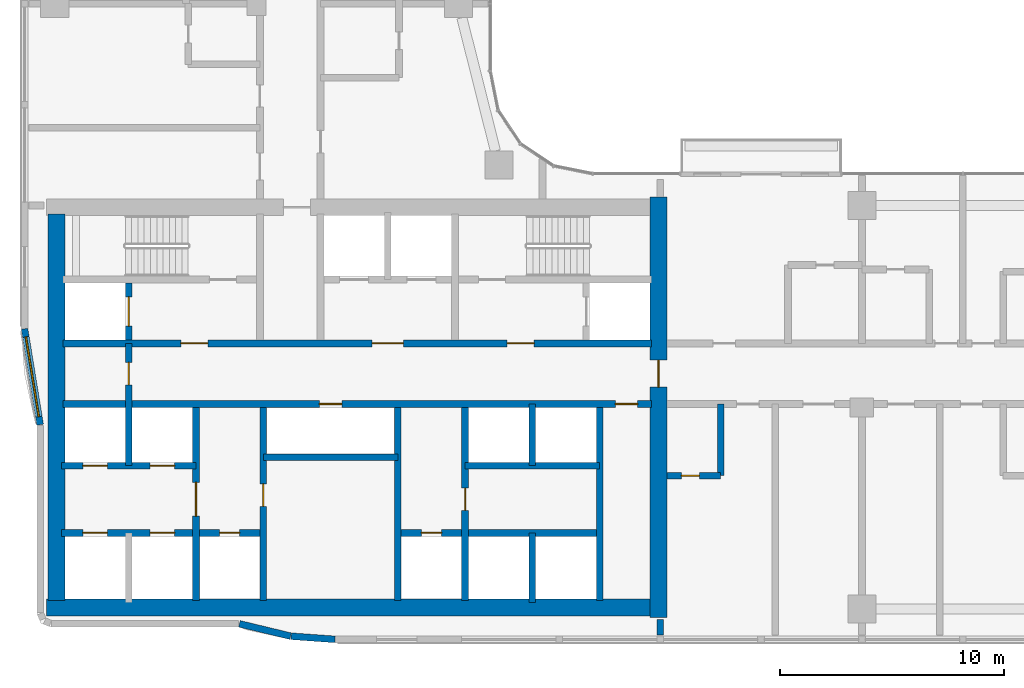
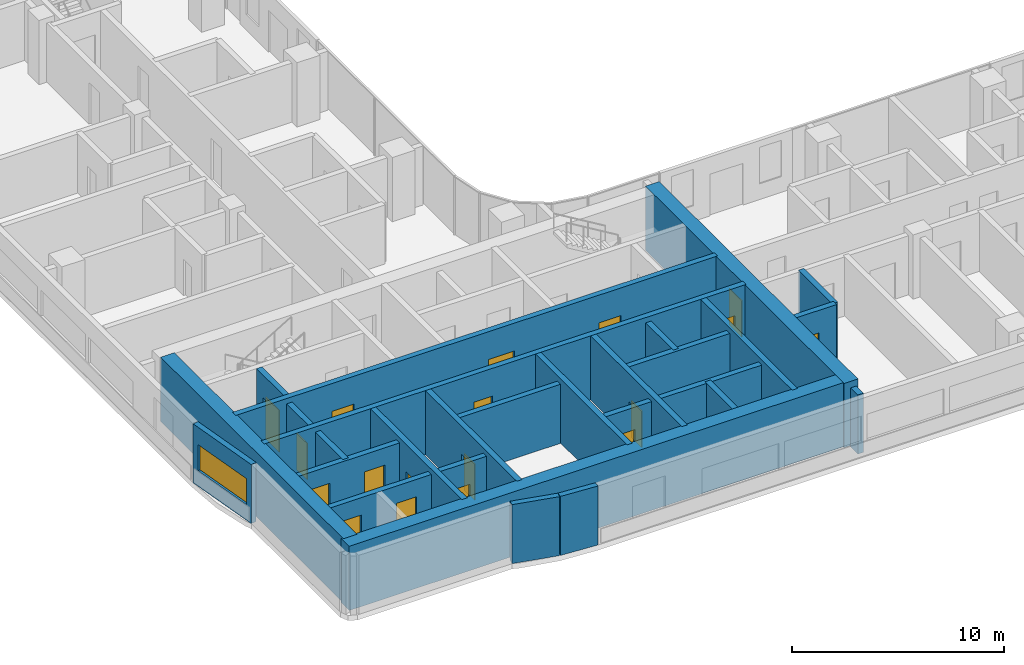
# One storey, part 7 of 21: 25 walls, 18 doors, 1 window, 19 openings.
"""IFC4 building model written with IfcOpenShell, lengths in metres."""

from ifc_helpers import new_model, si_unit, direction, frame, frame_2d, origin, place, context, subcontext, project, spatial, rectangle, extrude, material, layer, layer_set, type_object, element, fill, save


model = new_model("IFC4")

# Units and contexts
model_context = context("Model", 3, precision=1e-05, world=origin(), true_north=direction((0.0, 1.0)))
body_context = subcontext(model_context, "Body", "Model", "MODEL_VIEW")
ifc_project = project(units=[si_unit("LENGTHUNIT", "METRE"), si_unit("AREAUNIT", "SQUARE_METRE"), si_unit("VOLUMEUNIT", "CUBIC_METRE"), si_unit("PLANEANGLEUNIT", "RADIAN"), si_unit("MASSUNIT", "GRAM", prefix="KILO")], contexts=[model_context])

# Site, building, storey
site_placement = place(None, origin())
site = spatial("IfcSite", under=ifc_project, at=site_placement, CompositionType="ELEMENT")
building_placement = place(site_placement, origin())
building = spatial("IfcBuilding", under=site, at=building_placement, Name="Ogive Portal Towers", CompositionType="ELEMENT")
storey_placement = place(building_placement, frame((0.0, 0.0, 109.300048828125)))
storey = spatial("IfcBuildingStorey", under=building, at=storey_placement, Name="L26", CompositionType="ELEMENT", Elevation=109.300048828125)

# Wall, opening, door
ifc_material_1 = material(Name="Concrete C60/75", Category="concrete")
ifc_layer_1 = layer(ifc_material_1, 0.300048828125)
ifc_layer_set_1 = layer_set([ifc_layer_1], Name="CORE WALL 300 C60")
wall_type_1 = type_object("IfcWallType", Name="CORE WALL 300 C60", PredefinedType="SHEAR", material=ifc_layer_set_1)
wall_1_placement = place(storey_placement, frame((37.800048828125, 21.875, 0.0), z_axis=(0.0, 0.0, 1.0), x_axis=(0.0, 1.0, 0.0)))
wall_1 = element("IfcWall", 1, at=wall_1_placement, inside=storey, type_object=wall_type_1, Name="Core wall X1 L26", PredefinedType="SHEAR", context=body_context, shape_type="SweptSolid", body=[
    extrude(rectangle(XDim=8.625, YDim=0.300048828125, at=frame_2d((4.3125, 0.0))), origin(), (0.0, 0.0, 1.0), 3.699951171875),
])
opening_1_placement = place(wall_1_placement, frame((3.77490234375, 0.0, 0.0)))
opening_1 = element("IfcOpeningElement", 2, at=opening_1_placement, cuts=wall_1, Name="Opening D09-001", PredefinedType="OPENING", context=body_context, shape_type="SweptSolid", body=[
    extrude(rectangle(XDim=1.5, YDim=2.10009765625, at=frame_2d((0.75, 1.050048828125))), frame((0.0, 0.16015625, 0.0), z_axis=(0.0, -1.0, 0.0), x_axis=(1.0, 0.0, 0.0)), (0.0, 0.0, 1.0), 0.320068359375),
])
ifc_material_2 = material(Name="Steel fire door", Category="steel")
door_type_1 = type_object("IfcDoorType", Name="DT-SWING-1500x2100-FD90S", OperationType="SINGLE_SWING_LEFT", PredefinedType="DOOR", material=ifc_material_2)
door_1_placement = place(opening_1_placement, origin())
door_1 = element("IfcDoor", 3, at=door_1_placement, inside=storey, type_object=door_type_1, Name="Door D09-001", OperationType="SINGLE_SWING_LEFT", OverallHeight=2.10009765625, OverallWidth=1.5, PredefinedType="DOOR", context=body_context, shape_type="SweptSolid", body=[
    extrude(rectangle(XDim=1.5, YDim=2.10009765625, at=frame_2d((0.75, 1.050048828125))), frame((0.0, 0.02490234375, 0.0), z_axis=(0.0, -1.0, 0.0), x_axis=(1.0, 0.0, 0.0)), (0.0, 0.0, 1.0), 0.050048828125),
])
fill(opening_1, door_1)

wall_2_placement = place(storey_placement, frame((40.800048828125, 21.875, 0.0), z_axis=(0.0, 0.0, 1.0), x_axis=(0.0, 1.0, 0.0)))
wall_2 = element("IfcWall", 4, at=wall_2_placement, inside=storey, type_object=wall_type_1, Name="Core wall X2 L26", PredefinedType="SHEAR", context=body_context, shape_type="SweptSolid", body=[
    extrude(rectangle(XDim=8.625, YDim=0.300048828125, at=frame_2d((4.3125, 0.0))), origin(), (0.0, 0.0, 1.0), 3.699951171875),
])
opening_2_placement = place(wall_2_placement, frame((4.212890625, 0.0, 0.0)))
opening_2 = element("IfcOpeningElement", 5, at=opening_2_placement, cuts=wall_2, Name="Opening D09-021", PredefinedType="OPENING", context=body_context, shape_type="SweptSolid", body=[
    extrude(rectangle(XDim=1.0, YDim=2.10009765625, at=frame_2d((0.5, 1.050048828125))), frame((0.0, 0.16015625, 0.0), z_axis=(0.0, -1.0, 0.0), x_axis=(1.0, 0.0, 0.0)), (0.0, 0.0, 1.0), 0.320068359375),
])
door_type_2 = type_object("IfcDoorType", Name="DT-SWING-1000x2100-FD90S", OperationType="SINGLE_SWING_LEFT", PredefinedType="DOOR", material=ifc_material_2)
door_2_placement = place(opening_2_placement, origin())
door_2 = element("IfcDoor", 6, at=door_2_placement, inside=storey, type_object=door_type_2, Name="Door D09-021", OperationType="SINGLE_SWING_RIGHT", OverallHeight=2.10009765625, OverallWidth=1.0, PredefinedType="DOOR", context=body_context, shape_type="SweptSolid", body=[
    extrude(rectangle(XDim=1.0, YDim=2.10009765625, at=frame_2d((0.5, 1.050048828125))), frame((0.0, 0.02490234375, 0.0), z_axis=(0.0, -1.0, 0.0), x_axis=(1.0, 0.0, 0.0)), (0.0, 0.0, 1.0), 0.050048828125),
])
fill(opening_2, door_2)

# Wall
wall_3_placement = place(storey_placement, frame((46.800048828125, 21.875, 0.0), z_axis=(0.0, 0.0, 1.0), x_axis=(0.0, 1.0, 0.0)))
element("IfcWall", 7, at=wall_3_placement, inside=storey, type_object=wall_type_1, Name="Core wall X3 L26", PredefinedType="SHEAR", context=body_context, shape_type="SweptSolid", body=[
    extrude(rectangle(XDim=8.625, YDim=0.300048828125, at=frame_2d((4.3125, 0.0))), origin(), (0.0, 0.0, 1.0), 3.699951171875),
])

# Wall, opening, door
wall_4_placement = place(storey_placement, frame((49.800048828125, 21.875, 0.0), z_axis=(0.0, 0.0, 1.0), x_axis=(0.0, 1.0, 0.0)))
wall_4 = element("IfcWall", 8, at=wall_4_placement, inside=storey, type_object=wall_type_1, Name="Core wall X4 L26", PredefinedType="SHEAR", context=body_context, shape_type="SweptSolid", body=[
    extrude(rectangle(XDim=8.625, YDim=0.300048828125, at=frame_2d((4.3125, 0.0))), origin(), (0.0, 0.0, 1.0), 3.699951171875),
])
opening_3_placement = place(wall_4_placement, frame((4.02490234375, 0.0, 0.0)))
opening_3 = element("IfcOpeningElement", 9, at=opening_3_placement, cuts=wall_4, Name="Opening D09-022", PredefinedType="OPENING", context=body_context, shape_type="SweptSolid", body=[
    extrude(rectangle(XDim=1.0, YDim=2.10009765625, at=frame_2d((0.5, 1.050048828125))), frame((0.0, 0.16015625, 0.0), z_axis=(0.0, -1.0, 0.0), x_axis=(1.0, 0.0, 0.0)), (0.0, 0.0, 1.0), 0.320068359375),
])
door_3_placement = place(opening_3_placement, origin())
door_3 = element("IfcDoor", 10, at=door_3_placement, inside=storey, type_object=door_type_2, Name="Door D09-022", OperationType="SINGLE_SWING_LEFT", OverallHeight=2.10009765625, OverallWidth=1.0, PredefinedType="DOOR", context=body_context, shape_type="SweptSolid", body=[
    extrude(rectangle(XDim=1.0, YDim=2.10009765625, at=frame_2d((0.5, 1.050048828125))), frame((0.0, 0.02490234375, 0.0), z_axis=(0.0, -1.0, 0.0), x_axis=(1.0, 0.0, 0.0)), (0.0, 0.0, 1.0), 0.050048828125),
])
fill(opening_3, door_3)

# Wall
wall_5_placement = place(storey_placement, frame((55.800048828125, 21.875, 0.0), z_axis=(0.0, 0.0, 1.0), x_axis=(0.0, 1.0, 0.0)))
element("IfcWall", 11, at=wall_5_placement, inside=storey, type_object=wall_type_1, Name="Core wall X5 L26", PredefinedType="SHEAR", context=body_context, shape_type="SweptSolid", body=[
    extrude(rectangle(XDim=8.625, YDim=0.300048828125, at=frame_2d((4.3125, 0.0))), origin(), (0.0, 0.0, 1.0), 3.699951171875),
])

# Wall, openings, doors
wall_6_placement = place(storey_placement, frame((31.875, 30.64990234375, 0.0), z_axis=(0.0, 0.0, 1.0), x_axis=(1.0, 0.0, 0.0)))
wall_6 = element("IfcWall", 12, at=wall_6_placement, inside=storey, type_object=wall_type_1, Name="Core wall Y1 L26", PredefinedType="SHEAR", context=body_context, shape_type="SweptSolid", body=[
    extrude(rectangle(XDim=26.25, YDim=0.300048828125, at=frame_2d((13.125, 0.0))), origin(), (0.0, 0.0, 1.0), 3.699951171875),
])
opening_4_placement = place(wall_6_placement, frame((24.625, 0.0, 0.0)))
opening_4 = element("IfcOpeningElement", 13, at=opening_4_placement, cuts=wall_6, Name="Opening D09-009", PredefinedType="OPENING", context=body_context, shape_type="SweptSolid", body=[
    extrude(rectangle(XDim=1.0, YDim=2.10009765625, at=frame_2d((0.5, 1.050048828125))), frame((0.0, 0.16015625, 0.0), z_axis=(0.0, -1.0, 0.0), x_axis=(1.0, 0.0, 0.0)), (0.0, 0.0, 1.0), 0.320068359375),
])
opening_5_placement = place(wall_6_placement, frame((11.425048828125, 0.0, 0.0)))
opening_5 = element("IfcOpeningElement", 14, at=opening_5_placement, cuts=wall_6, Name="Opening D09-020", PredefinedType="OPENING", context=body_context, shape_type="SweptSolid", body=[
    extrude(rectangle(XDim=1.0, YDim=2.10009765625, at=frame_2d((0.5, 1.050048828125))), frame((0.0, 0.16015625, 0.0), z_axis=(0.0, -1.0, 0.0), x_axis=(1.0, 0.0, 0.0)), (0.0, 0.0, 1.0), 0.320068359375),
])
door_4_placement = place(opening_4_placement, origin())
door_4 = element("IfcDoor", 15, at=door_4_placement, inside=storey, type_object=door_type_2, Name="Door D09-009", OperationType="SINGLE_SWING_LEFT", OverallHeight=2.10009765625, OverallWidth=1.0, PredefinedType="DOOR", context=body_context, shape_type="SweptSolid", body=[
    extrude(rectangle(XDim=1.0, YDim=2.10009765625, at=frame_2d((0.5, 1.050048828125))), frame((0.0, 0.02490234375, 0.0), z_axis=(0.0, -1.0, 0.0), x_axis=(1.0, 0.0, 0.0)), (0.0, 0.0, 1.0), 0.050048828125),
])
fill(opening_4, door_4)
door_5_placement = place(opening_5_placement, origin())
door_5 = element("IfcDoor", 16, at=door_5_placement, inside=storey, type_object=door_type_2, Name="Riser access door D09-020", OperationType="SINGLE_SWING_LEFT", OverallHeight=2.10009765625, OverallWidth=1.0, PredefinedType="DOOR", context=body_context, shape_type="SweptSolid", body=[
    extrude(rectangle(XDim=1.0, YDim=2.10009765625, at=frame_2d((0.5, 1.050048828125))), frame((0.0, 0.02490234375, 0.0), z_axis=(0.0, -1.0, 0.0), x_axis=(1.0, 0.0, 0.0)), (0.0, 0.0, 1.0), 0.050048828125),
])
fill(opening_5, door_5)

wall_7_placement = place(storey_placement, frame((31.875, 33.35009765625, 0.0), z_axis=(0.0, 0.0, 1.0), x_axis=(1.0, 0.0, 0.0)))
wall_7 = element("IfcWall", 17, at=wall_7_placement, inside=storey, type_object=wall_type_1, Name="Core wall Y2 L26", PredefinedType="SHEAR", context=body_context, shape_type="SweptSolid", body=[
    extrude(rectangle(XDim=26.25, YDim=0.300048828125, at=frame_2d((13.125, 0.0))), origin(), (0.0, 0.0, 1.0), 3.699951171875),
])
opening_6_placement = place(wall_7_placement, frame((13.77490234375, 0.0, 0.0)))
opening_6 = element("IfcOpeningElement", 18, at=opening_6_placement, cuts=wall_7, Name="Opening D09-002", PredefinedType="OPENING", context=body_context, shape_type="SweptSolid", body=[
    extrude(rectangle(XDim=1.39990234375, YDim=2.10009765625, at=frame_2d((0.699951171875, 1.050048828125))), frame((0.0, 0.16015625, 0.0), z_axis=(0.0, -1.0, 0.0), x_axis=(1.0, 0.0, 0.0)), (0.0, 0.0, 1.0), 0.320068359375),
])
opening_7_placement = place(wall_7_placement, frame((5.25, 0.0, 0.0)))
opening_7 = element("IfcOpeningElement", 19, at=opening_7_placement, cuts=wall_7, Name="Opening D09-003", PredefinedType="OPENING", context=body_context, shape_type="SweptSolid", body=[
    extrude(rectangle(XDim=1.199951171875, YDim=2.10009765625, at=frame_2d((0.60009765625, 1.050048828125))), frame((0.0, 0.16015625, 0.0), z_axis=(0.0, -1.0, 0.0), x_axis=(1.0, 0.0, 0.0)), (0.0, 0.0, 1.0), 0.320068359375),
])
opening_8_placement = place(wall_7_placement, frame((19.800048828125, 0.0, 0.0)))
opening_8 = element("IfcOpeningElement", 20, at=opening_8_placement, cuts=wall_7, Name="Opening D09-004", PredefinedType="OPENING", context=body_context, shape_type="SweptSolid", body=[
    extrude(rectangle(XDim=1.199951171875, YDim=2.10009765625, at=frame_2d((0.60009765625, 1.050048828125))), frame((0.0, 0.16015625, 0.0), z_axis=(0.0, -1.0, 0.0), x_axis=(1.0, 0.0, 0.0)), (0.0, 0.0, 1.0), 0.320068359375),
])
door_type_3 = type_object("IfcDoorType", Name="DT-SWING-1200x2100-FD90S", OperationType="SINGLE_SWING_LEFT", PredefinedType="DOOR", material=ifc_material_2)
door_6_placement = place(opening_7_placement, origin())
door_6 = element("IfcDoor", 21, at=door_6_placement, inside=storey, type_object=door_type_3, Name="Door D09-003", OperationType="SINGLE_SWING_LEFT", OverallHeight=2.10009765625, OverallWidth=1.199951171875, PredefinedType="DOOR", context=body_context, shape_type="SweptSolid", body=[
    extrude(rectangle(XDim=1.199951171875, YDim=2.10009765625, at=frame_2d((0.60009765625, 1.050048828125))), frame((0.0, 0.02490234375, 0.0), z_axis=(0.0, -1.0, 0.0), x_axis=(1.0, 0.0, 0.0)), (0.0, 0.0, 1.0), 0.050048828125),
])
fill(opening_7, door_6)
door_7_placement = place(opening_8_placement, origin())
door_7 = element("IfcDoor", 22, at=door_7_placement, inside=storey, type_object=door_type_3, Name="Door D09-004", OperationType="SINGLE_SWING_RIGHT", OverallHeight=2.10009765625, OverallWidth=1.199951171875, PredefinedType="DOOR", context=body_context, shape_type="SweptSolid", body=[
    extrude(rectangle(XDim=1.199951171875, YDim=2.10009765625, at=frame_2d((0.60009765625, 1.050048828125))), frame((0.0, 0.02490234375, 0.0), z_axis=(0.0, -1.0, 0.0), x_axis=(1.0, 0.0, 0.0)), (0.0, 0.0, 1.0), 0.050048828125),
])
fill(opening_8, door_7)
door_type_4 = type_object("IfcDoorType", Name="DT-SWING-1400x2100-FD90S", OperationType="SINGLE_SWING_LEFT", PredefinedType="DOOR", material=ifc_material_2)
door_8_placement = place(opening_6_placement, origin())
door_8 = element("IfcDoor", 23, at=door_8_placement, inside=storey, type_object=door_type_4, Name="Door D09-002", OperationType="SINGLE_SWING_RIGHT", OverallHeight=2.10009765625, OverallWidth=1.39990234375, PredefinedType="DOOR", context=body_context, shape_type="SweptSolid", body=[
    extrude(rectangle(XDim=1.39990234375, YDim=2.10009765625, at=frame_2d((0.699951171875, 1.050048828125))), frame((0.0, 0.02490234375, 0.0), z_axis=(0.0, -1.0, 0.0), x_axis=(1.0, 0.0, 0.0)), (0.0, 0.0, 1.0), 0.050048828125),
])
fill(opening_6, door_8)

# Wall, opening, door
wall_8_placement = place(storey_placement, frame((34.800048828125, 33.5, 0.0), z_axis=(0.0, 0.0, 1.0), x_axis=(0.0, 1.0, 0.0)))
wall_8 = element("IfcWall", 24, at=wall_8_placement, inside=storey, type_object=wall_type_1, Name="Core wall X8 L26", PredefinedType="SHEAR", context=body_context, shape_type="SweptSolid", body=[
    extrude(rectangle(XDim=2.550048828125, YDim=0.300048828125, at=frame_2d((1.27490234375, 0.0))), origin(), (0.0, 0.0, 1.0), 3.699951171875),
])
opening_9_placement = place(wall_8_placement, frame((0.625, 0.0, 0.0)))
opening_9 = element("IfcOpeningElement", 25, at=opening_9_placement, cuts=wall_8, Name="Opening D09-018", PredefinedType="OPENING", context=body_context, shape_type="SweptSolid", body=[
    extrude(rectangle(XDim=1.300048828125, YDim=2.39990234375, at=frame_2d((0.64990234375, 1.199951171875))), frame((0.0, 0.16015625, 0.0), z_axis=(0.0, -1.0, 0.0), x_axis=(1.0, 0.0, 0.0)), (0.0, 0.0, 1.0), 0.320068359375),
])
ifc_material_3 = material(Name="Stainless steel", Category="steel")
door_type_5 = type_object("IfcDoorType", Name="DT-LD-1300x2400", OperationType="SLIDING_TO_LEFT", PredefinedType="DOOR", material=ifc_material_3)
door_9_placement = place(opening_9_placement, origin())
door_9 = element("IfcDoor", 26, at=door_9_placement, inside=storey, type_object=door_type_5, Name="Door D09-018", OperationType="SLIDING_TO_LEFT", OverallHeight=2.39990234375, OverallWidth=1.300048828125, PredefinedType="DOOR", context=body_context, shape_type="SweptSolid", body=[
    extrude(rectangle(XDim=1.300048828125, YDim=2.39990234375, at=frame_2d((0.64990234375, 1.199951171875))), frame((0.0, 0.02490234375, 0.0), z_axis=(0.0, -1.0, 0.0), x_axis=(1.0, 0.0, 0.0)), (0.0, 0.0, 1.0), 0.050048828125),
])
fill(opening_9, door_9)

# Walls
ifc_layer_2 = layer(ifc_material_1, 0.75)
ifc_layer_set_2 = layer_set([ifc_layer_2], Name="CORE WALL 750 C60")
wall_type_2 = type_object("IfcWallType", Name="CORE WALL 750 C60", PredefinedType="SHEAR", material=ifc_layer_set_2)
wall_9_placement = place(storey_placement, frame((31.574951171875, 21.875, 0.0), z_axis=(0.0, 0.0, 1.0), x_axis=(0.0, 1.0, 0.0)))
element("IfcWall", 27, at=wall_9_placement, inside=storey, type_object=wall_type_2, Name="Core wall W L26", PredefinedType="SHEAR", context=body_context, shape_type="SweptSolid", body=[
    extrude(rectangle(XDim=17.25, YDim=0.75, at=frame_2d((8.625, 0.0))), origin(), (0.0, 0.0, 1.0), 3.699951171875),
])
wall_10_placement = place(storey_placement, frame((31.125, 21.574951171875, 0.0), z_axis=(0.0, 0.0, 1.0), x_axis=(1.0, 0.0, 0.0)))
element("IfcWall", 28, at=wall_10_placement, inside=storey, type_object=wall_type_2, Name="Core wall S L26", PredefinedType="SHEAR", context=body_context, shape_type="SweptSolid", body=[
    extrude(rectangle(XDim=27.0, YDim=0.75, at=frame_2d((13.5, 0.0))), origin(), (0.0, 0.0, 1.0), 3.699951171875),
])

# Wall, opening, door
wall_11_placement = place(storey_placement, frame((58.425048828125, 21.125, 0.0), z_axis=(0.0, 0.0, 1.0), x_axis=(0.0, 1.0, 0.0)))
wall_11 = element("IfcWall", 29, at=wall_11_placement, inside=storey, type_object=wall_type_2, Name="Core wall E L26", PredefinedType="SHEAR", context=body_context, shape_type="SweptSolid", body=[
    extrude(rectangle(XDim=18.75, YDim=0.75, at=frame_2d((9.375, 0.0))), origin(), (0.0, 0.0, 1.0), 3.699951171875),
])
opening_10_placement = place(wall_11_placement, frame((10.27490234375, 0.0, 0.0)))
opening_10 = element("IfcOpeningElement", 30, at=opening_10_placement, cuts=wall_11, Name="Opening D09-010", PredefinedType="OPENING", context=body_context, shape_type="SweptSolid", body=[
    extrude(rectangle(XDim=1.199951171875, YDim=2.10009765625, at=frame_2d((0.60009765625, 1.050048828125))), frame((0.0, 0.385009765625, 0.0), z_axis=(0.0, -1.0, 0.0), x_axis=(1.0, 0.0, 0.0)), (0.0, 0.0, 1.0), 0.77001953125),
])
door_10_placement = place(opening_10_placement, origin())
door_10 = element("IfcDoor", 31, at=door_10_placement, inside=storey, type_object=door_type_3, Name="Door D09-010", OperationType="SINGLE_SWING_LEFT", OverallHeight=2.10009765625, OverallWidth=1.199951171875, PredefinedType="DOOR", context=body_context, shape_type="SweptSolid", body=[
    extrude(rectangle(XDim=1.199951171875, YDim=2.10009765625, at=frame_2d((0.60009765625, 1.050048828125))), frame((0.0, 0.02490234375, 0.0), z_axis=(0.0, -1.0, 0.0), x_axis=(1.0, 0.0, 0.0)), (0.0, 0.0, 1.0), 0.050048828125),
])
fill(opening_10, door_10)

# Walls
ifc_material_4 = material(Name="Limestone cladding on lightweight block wall", Category="masonry")
ifc_layer_3 = layer(ifc_material_4, 0.300048828125)
ifc_layer_set_3 = layer_set([ifc_layer_3], Name="EXTERNAL WALL 300 STONE")
wall_type_3 = type_object("IfcWallType", Name="EXTERNAL WALL 300 STONE", PredefinedType="SOLIDWALL", material=ifc_layer_set_3)
wall_12_placement = place(storey_placement, frame((39.734619140625, 20.845703125, 0.0), z_axis=(0.0, 0.0, 1.0), x_axis=(0.97206095595, -0.234728562212, 0.0)))
element("IfcWall", 32, at=wall_12_placement, inside=storey, type_object=wall_type_3, Name="A:L26:f04:r0:wall", PredefinedType="SOLIDWALL", context=body_context, shape_type="SweptSolid", body=[
    extrude(rectangle(XDim=2.349609375, YDim=0.300048828125, at=frame_2d((1.1748046875, 0.0))), origin(), (0.0, 0.0, 1.0), 3.39990234375),
])
wall_13_placement = place(storey_placement, frame((42.043212890625, 20.290283203125, 0.0), z_axis=(0.0, 0.0, 1.0), x_axis=(0.997454275884, -0.071308958214, 0.0)))
element("IfcWall", 33, at=wall_13_placement, inside=storey, type_object=wall_type_3, Name="A:L26:f05:r0:wall", PredefinedType="SOLIDWALL", context=body_context, shape_type="SweptSolid", body=[
    extrude(rectangle(XDim=1.961669921875, YDim=0.300048828125, at=frame_2d((0.98095703125, 0.0))), origin(), (0.0, 0.0, 1.0), 3.39990234375),
])

# Wall, opening, window
wall_14_placement = place(storey_placement, frame((30.15185546875, 34.000244140625, 0.0), z_axis=(0.0, 0.0, 1.0), x_axis=(0.160697303067, -0.987003736967, 0.0)))
wall_14 = element("IfcWall", 34, at=wall_14_placement, inside=storey, type_object=wall_type_3, Name="A:L26:f25:r0:wall", PredefinedType="SOLIDWALL", context=body_context, shape_type="SweptSolid", body=[
    extrude(rectangle(XDim=4.3330078125, YDim=0.300048828125, at=frame_2d((2.16650390625, 0.0))), origin(), (0.0, 0.0, 1.0), 3.39990234375),
])
opening_11_placement = place(wall_14_placement, frame((0.366455078125, 0.0, 0.89990234375)))
opening_11 = element("IfcOpeningElement", 35, at=opening_11_placement, cuts=wall_14, Name="Opening WN12", PredefinedType="OPENING", context=body_context, shape_type="SweptSolid", body=[
    extrude(rectangle(XDim=3.60009765625, YDim=1.5, at=frame_2d((1.800048828125, 0.75))), frame((0.0, 0.16015625, 0.0), z_axis=(0.0, -1.0, 0.0), x_axis=(1.0, 0.0, 0.0)), (0.0, 0.0, 1.0), 0.320068359375),
])
ifc_material_5 = material(Name="Glass, clear low-iron insulated glazing", Category="glass")
window_type = type_object("IfcWindowType", Name="WINDOW RIBBON 3600x1500", PartitioningType="TRIPLE_PANEL_VERTICAL", PredefinedType="WINDOW", material=ifc_material_5)
window_placement = place(opening_11_placement, origin())
window = element("IfcWindow", 36, at=window_placement, inside=storey, type_object=window_type, Name="A:L26:f25:r0:w0", OverallHeight=1.5, OverallWidth=3.60009765625, PartitioningType="SINGLE_PANEL", PredefinedType="WINDOW", context=body_context, shape_type="SweptSolid", body=[
    extrude(rectangle(XDim=3.60009765625, YDim=1.5, at=frame_2d((1.800048828125, 0.75))), frame((0.0, 0.030029296875, 0.0), z_axis=(0.0, -1.0, 0.0), x_axis=(1.0, 0.0, 0.0)), (0.0, 0.0, 1.0), 0.06005859375),
])
fill(opening_11, window)

# Wall
ifc_material_6 = material(Name="Gypsum board partition on steel studs", Category="steel")
ifc_layer_4 = layer(ifc_material_6, 0.300048828125)
ifc_layer_set_4 = layer_set([ifc_layer_4], Name="WT-PART-300")
wall_type_4 = type_object("IfcWallType", Name="WT-PART-300", PredefinedType="PARTITIONING", material=ifc_layer_set_4)
wall_15_placement = place(storey_placement, frame((40.800048828125, 28.277099609375, 0.0), z_axis=(0.0, 0.0, 1.0), x_axis=(1.0, 0.0, 0.0)))
element("IfcWall", 37, at=wall_15_placement, inside=storey, type_object=wall_type_4, Name="Wall pw:005:L26", PredefinedType="PARTITIONING", context=body_context, shape_type="SweptSolid", body=[
    extrude(rectangle(XDim=6.0, YDim=0.300048828125, at=frame_2d((3.0, 0.0))), origin(), (0.0, 0.0, 1.0), 3.39990234375),
])

# Wall, opening, door
ifc_layer_5 = layer(ifc_material_6, 0.300048828125)
ifc_layer_set_5 = layer_set([ifc_layer_5], Name="WT-PART-300-EI 60")
wall_type_5 = type_object("IfcWallType", Name="WT-PART-300-EI 60", PredefinedType="PARTITIONING", material=ifc_layer_set_5)
wall_16_placement = place(storey_placement, frame((58.800048828125, 27.449951171875, 0.0), z_axis=(0.0, 0.0, 1.0), x_axis=(1.0, 0.0, 0.0)))
wall_16 = element("IfcWall", 38, at=wall_16_placement, inside=storey, type_object=wall_type_5, Name="Wall L26:w004", PredefinedType="PARTITIONING", context=body_context, shape_type="SweptSolid", body=[
    extrude(rectangle(XDim=2.39990234375, YDim=0.300048828125, at=frame_2d((1.199951171875, 0.0))), origin(), (0.0, 0.0, 1.0), 3.39990234375),
])
opening_12_placement = place(wall_16_placement, frame((0.64990234375, 0.0, 0.0)))
opening_12 = element("IfcOpeningElement", 39, at=opening_12_placement, cuts=wall_16, Name="Opening D09-026", PredefinedType="OPENING", context=body_context, shape_type="SweptSolid", body=[
    extrude(rectangle(XDim=0.800048828125, YDim=2.10009765625, at=frame_2d((0.39990234375, 1.050048828125))), frame((0.0, 0.16015625, 0.0), z_axis=(0.0, -1.0, 0.0), x_axis=(1.0, 0.0, 0.0)), (0.0, 0.0, 1.0), 0.320068359375),
])
door_type_6 = type_object("IfcDoorType", Name="DT-BATH-800x2100-FD60S", OperationType="SINGLE_SWING_LEFT", PredefinedType="DOOR", material=ifc_material_2)
door_11_placement = place(opening_12_placement, origin())
door_11 = element("IfcDoor", 40, at=door_11_placement, inside=storey, type_object=door_type_6, Name="Door D09-026", OperationType="SINGLE_SWING_LEFT", OverallHeight=2.10009765625, OverallWidth=0.800048828125, PredefinedType="DOOR", context=body_context, shape_type="SweptSolid", body=[
    extrude(rectangle(XDim=0.800048828125, YDim=2.10009765625, at=frame_2d((0.39990234375, 1.050048828125))), frame((0.0, 0.02490234375, 0.0), z_axis=(0.0, -1.0, 0.0), x_axis=(1.0, 0.0, 0.0)), (0.0, 0.0, 1.0), 0.050048828125),
])
fill(opening_12, door_11)

# Walls
wall_17_placement = place(storey_placement, frame((58.5, 20.35009765625, 0.0), z_axis=(0.0, 0.0, 1.0), x_axis=(0.0, 1.0, 0.0)))
element("IfcWall", 41, at=wall_17_placement, inside=storey, type_object=wall_type_5, Name="Wall L26:w044", PredefinedType="PARTITIONING", context=body_context, shape_type="SweptSolid", body=[
    extrude(rectangle(XDim=0.679931640625, YDim=0.300048828125, at=frame_2d((0.33984375, 0.0))), origin(), (0.0, 0.0, 1.0), 3.39990234375),
])
wall_18_placement = place(storey_placement, frame((61.199951171875, 27.449951171875, 0.0), z_axis=(0.0, 0.0, 1.0), x_axis=(0.0, 1.0, 0.0)))
element("IfcWall", 42, at=wall_18_placement, inside=storey, type_object=wall_type_5, Name="Wall L26:w046", PredefinedType="PARTITIONING", context=body_context, shape_type="SweptSolid", body=[
    extrude(rectangle(XDim=3.199951171875, YDim=0.300048828125, at=frame_2d((1.60009765625, 0.0))), origin(), (0.0, 0.0, 1.0), 3.39990234375),
])

# Wall, openings, doors
ifc_material_7 = material(Name="Concrete C40/50", Category="concrete")
ifc_layer_6 = layer(ifc_material_7, 0.300048828125)
ifc_layer_set_6 = layer_set([ifc_layer_6], Name="WT-SHAFT-300")
wall_type_6 = type_object("IfcWallType", Name="WT-SHAFT-300", PredefinedType="SOLIDWALL", material=ifc_layer_set_6)
wall_19_placement = place(storey_placement, frame((31.800048828125, 24.89990234375, 0.0), z_axis=(0.0, 0.0, 1.0), x_axis=(1.0, 0.0, 0.0)))
wall_19 = element("IfcWall", 43, at=wall_19_placement, inside=storey, type_object=wall_type_6, Name="Wall pw:001:L26", PredefinedType="SOLIDWALL", context=body_context, shape_type="SweptSolid", body=[
    extrude(rectangle(XDim=9.0, YDim=0.300048828125, at=frame_2d((4.5, 0.0))), origin(), (0.0, 0.0, 1.0), 3.39990234375),
])
opening_13_placement = place(wall_19_placement, frame((7.050048828125, 0.0, 0.0)))
opening_13 = element("IfcOpeningElement", 44, at=opening_13_placement, cuts=wall_19, Name="Opening D09-007", PredefinedType="OPENING", context=body_context, shape_type="SweptSolid", body=[
    extrude(rectangle(XDim=0.89990234375, YDim=2.10009765625, at=frame_2d((0.449951171875, 1.050048828125))), frame((0.0, 0.16015625, 0.0), z_axis=(0.0, -1.0, 0.0), x_axis=(1.0, 0.0, 0.0)), (0.0, 0.0, 1.0), 0.320068359375),
])
opening_14_placement = place(wall_19_placement, frame((0.949951171875, 0.0, 0.0)))
opening_14 = element("IfcOpeningElement", 45, at=opening_14_placement, cuts=wall_19, Name="Opening D09-012", PredefinedType="OPENING", context=body_context, shape_type="SweptSolid", body=[
    extrude(rectangle(XDim=1.10009765625, YDim=2.39990234375, at=frame_2d((0.550048828125, 1.199951171875))), frame((0.0, 0.16015625, 0.0), z_axis=(0.0, -1.0, 0.0), x_axis=(1.0, 0.0, 0.0)), (0.0, 0.0, 1.0), 0.320068359375),
])
opening_15_placement = place(wall_19_placement, frame((3.949951171875, 0.0, 0.0)))
opening_15 = element("IfcOpeningElement", 46, at=opening_15_placement, cuts=wall_19, Name="Opening D09-013", PredefinedType="OPENING", context=body_context, shape_type="SweptSolid", body=[
    extrude(rectangle(XDim=1.10009765625, YDim=2.39990234375, at=frame_2d((0.550048828125, 1.199951171875))), frame((0.0, 0.16015625, 0.0), z_axis=(0.0, -1.0, 0.0), x_axis=(1.0, 0.0, 0.0)), (0.0, 0.0, 1.0), 0.320068359375),
])
door_type_7 = type_object("IfcDoorType", Name="DT-LD-1100x2400", OperationType="SLIDING_TO_LEFT", PredefinedType="DOOR", material=ifc_material_3)
door_12_placement = place(opening_14_placement, origin())
door_12 = element("IfcDoor", 47, at=door_12_placement, inside=storey, type_object=door_type_7, Name="Door D09-012", OperationType="SLIDING_TO_LEFT", OverallHeight=2.39990234375, OverallWidth=1.10009765625, PredefinedType="DOOR", context=body_context, shape_type="SweptSolid", body=[
    extrude(rectangle(XDim=1.10009765625, YDim=2.39990234375, at=frame_2d((0.550048828125, 1.199951171875))), frame((0.0, 0.02490234375, 0.0), z_axis=(0.0, -1.0, 0.0), x_axis=(1.0, 0.0, 0.0)), (0.0, 0.0, 1.0), 0.050048828125),
])
fill(opening_14, door_12)
door_13_placement = place(opening_15_placement, origin())
door_13 = element("IfcDoor", 48, at=door_13_placement, inside=storey, type_object=door_type_7, Name="Door D09-013", OperationType="SLIDING_TO_LEFT", OverallHeight=2.39990234375, OverallWidth=1.10009765625, PredefinedType="DOOR", context=body_context, shape_type="SweptSolid", body=[
    extrude(rectangle(XDim=1.10009765625, YDim=2.39990234375, at=frame_2d((0.550048828125, 1.199951171875))), frame((0.0, 0.02490234375, 0.0), z_axis=(0.0, -1.0, 0.0), x_axis=(1.0, 0.0, 0.0)), (0.0, 0.0, 1.0), 0.050048828125),
])
fill(opening_15, door_13)
door_type_8 = type_object("IfcDoorType", Name="DT-SWING-900x2100-FD90S", OperationType="SINGLE_SWING_LEFT", PredefinedType="DOOR", material=ifc_material_2)
door_14_placement = place(opening_13_placement, origin())
door_14 = element("IfcDoor", 49, at=door_14_placement, inside=storey, type_object=door_type_8, Name="Riser access door D09-007", OperationType="SINGLE_SWING_LEFT", OverallHeight=2.10009765625, OverallWidth=0.89990234375, PredefinedType="DOOR", context=body_context, shape_type="SweptSolid", body=[
    extrude(rectangle(XDim=0.89990234375, YDim=2.10009765625, at=frame_2d((0.449951171875, 1.050048828125))), frame((0.0, 0.02490234375, 0.0), z_axis=(0.0, -1.0, 0.0), x_axis=(1.0, 0.0, 0.0)), (0.0, 0.0, 1.0), 0.050048828125),
])
fill(opening_13, door_14)

# Wall, opening, door
wall_20_placement = place(storey_placement, frame((46.800048828125, 24.89990234375, 0.0), z_axis=(0.0, 0.0, 1.0), x_axis=(1.0, 0.0, 0.0)))
wall_20 = element("IfcWall", 50, at=wall_20_placement, inside=storey, type_object=wall_type_6, Name="Wall pw:002:L26", PredefinedType="SOLIDWALL", context=body_context, shape_type="SweptSolid", body=[
    extrude(rectangle(XDim=9.0, YDim=0.300048828125, at=frame_2d((4.5, 0.0))), origin(), (0.0, 0.0, 1.0), 3.39990234375),
])
opening_16_placement = place(wall_20_placement, frame((1.050048828125, 0.0, 0.0)))
opening_16 = element("IfcOpeningElement", 51, at=opening_16_placement, cuts=wall_20, Name="Opening D09-008", PredefinedType="OPENING", context=body_context, shape_type="SweptSolid", body=[
    extrude(rectangle(XDim=0.89990234375, YDim=2.10009765625, at=frame_2d((0.449951171875, 1.050048828125))), frame((0.0, 0.16015625, 0.0), z_axis=(0.0, -1.0, 0.0), x_axis=(1.0, 0.0, 0.0)), (0.0, 0.0, 1.0), 0.320068359375),
])
door_15_placement = place(opening_16_placement, origin())
door_15 = element("IfcDoor", 52, at=door_15_placement, inside=storey, type_object=door_type_8, Name="Riser access door D09-008", OperationType="SINGLE_SWING_RIGHT", OverallHeight=2.10009765625, OverallWidth=0.89990234375, PredefinedType="DOOR", context=body_context, shape_type="SweptSolid", body=[
    extrude(rectangle(XDim=0.89990234375, YDim=2.10009765625, at=frame_2d((0.449951171875, 1.050048828125))), frame((0.0, 0.02490234375, 0.0), z_axis=(0.0, -1.0, 0.0), x_axis=(1.0, 0.0, 0.0)), (0.0, 0.0, 1.0), 0.050048828125),
])
fill(opening_16, door_15)

# Wall, openings, doors
wall_21_placement = place(storey_placement, frame((31.800048828125, 27.89990234375, 0.0), z_axis=(0.0, 0.0, 1.0), x_axis=(1.0, 0.0, 0.0)))
wall_21 = element("IfcWall", 53, at=wall_21_placement, inside=storey, type_object=wall_type_6, Name="Wall pw:003:L26", PredefinedType="SOLIDWALL", context=body_context, shape_type="SweptSolid", body=[
    extrude(rectangle(XDim=6.0, YDim=0.300048828125, at=frame_2d((3.0, 0.0))), origin(), (0.0, 0.0, 1.0), 3.39990234375),
])
opening_17_placement = place(wall_21_placement, frame((0.949951171875, 0.0, 0.0)))
opening_17 = element("IfcOpeningElement", 54, at=opening_17_placement, cuts=wall_21, Name="Opening D09-014", PredefinedType="OPENING", context=body_context, shape_type="SweptSolid", body=[
    extrude(rectangle(XDim=1.10009765625, YDim=2.39990234375, at=frame_2d((0.550048828125, 1.199951171875))), frame((0.0, 0.16015625, 0.0), z_axis=(0.0, -1.0, 0.0), x_axis=(1.0, 0.0, 0.0)), (0.0, 0.0, 1.0), 0.320068359375),
])
opening_18_placement = place(wall_21_placement, frame((3.949951171875, 0.0, 0.0)))
opening_18 = element("IfcOpeningElement", 55, at=opening_18_placement, cuts=wall_21, Name="Opening D09-015", PredefinedType="OPENING", context=body_context, shape_type="SweptSolid", body=[
    extrude(rectangle(XDim=1.10009765625, YDim=2.39990234375, at=frame_2d((0.550048828125, 1.199951171875))), frame((0.0, 0.16015625, 0.0), z_axis=(0.0, -1.0, 0.0), x_axis=(1.0, 0.0, 0.0)), (0.0, 0.0, 1.0), 0.320068359375),
])
door_16_placement = place(opening_17_placement, origin())
door_16 = element("IfcDoor", 56, at=door_16_placement, inside=storey, type_object=door_type_7, Name="Door D09-014", OperationType="SLIDING_TO_LEFT", OverallHeight=2.39990234375, OverallWidth=1.10009765625, PredefinedType="DOOR", context=body_context, shape_type="SweptSolid", body=[
    extrude(rectangle(XDim=1.10009765625, YDim=2.39990234375, at=frame_2d((0.550048828125, 1.199951171875))), frame((0.0, 0.02490234375, 0.0), z_axis=(0.0, -1.0, 0.0), x_axis=(1.0, 0.0, 0.0)), (0.0, 0.0, 1.0), 0.050048828125),
])
fill(opening_17, door_16)
door_17_placement = place(opening_18_placement, origin())
door_17 = element("IfcDoor", 57, at=door_17_placement, inside=storey, type_object=door_type_7, Name="Door D09-015", OperationType="SLIDING_TO_LEFT", OverallHeight=2.39990234375, OverallWidth=1.10009765625, PredefinedType="DOOR", context=body_context, shape_type="SweptSolid", body=[
    extrude(rectangle(XDim=1.10009765625, YDim=2.39990234375, at=frame_2d((0.550048828125, 1.199951171875))), frame((0.0, 0.02490234375, 0.0), z_axis=(0.0, -1.0, 0.0), x_axis=(1.0, 0.0, 0.0)), (0.0, 0.0, 1.0), 0.050048828125),
])
fill(opening_18, door_17)

# Wall
wall_22_placement = place(storey_placement, frame((49.800048828125, 27.89990234375, 0.0), z_axis=(0.0, 0.0, 1.0), x_axis=(1.0, 0.0, 0.0)))
element("IfcWall", 58, at=wall_22_placement, inside=storey, type_object=wall_type_6, Name="Wall pw:004:L26", PredefinedType="SOLIDWALL", context=body_context, shape_type="SweptSolid", body=[
    extrude(rectangle(XDim=6.0, YDim=0.300048828125, at=frame_2d((3.0, 0.0))), origin(), (0.0, 0.0, 1.0), 3.39990234375),
])

# Wall, opening, door
wall_23_placement = place(storey_placement, frame((34.800048828125, 27.89990234375, 0.0), z_axis=(0.0, 0.0, 1.0), x_axis=(0.0, 1.0, 0.0)))
wall_23 = element("IfcWall", 59, at=wall_23_placement, inside=storey, type_object=wall_type_6, Name="Wall pw:007:L26", PredefinedType="SOLIDWALL", context=body_context, shape_type="SweptSolid", body=[
    extrude(rectangle(XDim=5.4501953125, YDim=0.300048828125, at=frame_2d((2.72509765625, 0.0))), origin(), (0.0, 0.0, 1.0), 3.39990234375),
])
opening_19_placement = place(wall_23_placement, frame((3.60009765625, 0.0, 0.0)))
opening_19 = element("IfcOpeningElement", 60, at=opening_19_placement, cuts=wall_23, Name="Opening D09-023", PredefinedType="OPENING", context=body_context, shape_type="SweptSolid", body=[
    extrude(rectangle(XDim=1.0, YDim=2.10009765625, at=frame_2d((0.5, 1.050048828125))), frame((0.0, 0.16015625, 0.0), z_axis=(0.0, -1.0, 0.0), x_axis=(1.0, 0.0, 0.0)), (0.0, 0.0, 1.0), 0.320068359375),
])
door_18_placement = place(opening_19_placement, origin())
door_18 = element("IfcDoor", 61, at=door_18_placement, inside=storey, type_object=door_type_2, Name="Door D09-023", OperationType="SINGLE_SWING_RIGHT", OverallHeight=2.10009765625, OverallWidth=1.0, PredefinedType="DOOR", context=body_context, shape_type="SweptSolid", body=[
    extrude(rectangle(XDim=1.0, YDim=2.10009765625, at=frame_2d((0.5, 1.050048828125))), frame((0.0, 0.02490234375, 0.0), z_axis=(0.0, -1.0, 0.0), x_axis=(1.0, 0.0, 0.0)), (0.0, 0.0, 1.0), 0.050048828125),
])
fill(opening_19, door_18)

# Walls
wall_24_placement = place(storey_placement, frame((52.800048828125, 21.800048828125, 0.0), z_axis=(0.0, 0.0, 1.0), x_axis=(0.0, 1.0, 0.0)))
element("IfcWall", 62, at=wall_24_placement, inside=storey, type_object=wall_type_6, Name="Wall pw:009:L26", PredefinedType="SOLIDWALL", context=body_context, shape_type="SweptSolid", body=[
    extrude(rectangle(XDim=3.099853515625, YDim=0.300048828125, at=frame_2d((1.5498046875, 0.0))), origin(), (0.0, 0.0, 1.0), 3.39990234375),
])
wall_25_placement = place(storey_placement, frame((52.800048828125, 27.89990234375, 0.0), z_axis=(0.0, 0.0, 1.0), x_axis=(0.0, 1.0, 0.0)))
element("IfcWall", 63, at=wall_25_placement, inside=storey, type_object=wall_type_6, Name="Wall pw:010:L26", PredefinedType="SOLIDWALL", context=body_context, shape_type="SweptSolid", body=[
    extrude(rectangle(XDim=2.75, YDim=0.300048828125, at=frame_2d((1.375, 0.0))), origin(), (0.0, 0.0, 1.0), 3.39990234375),
])

save(model, "model.ifc")
